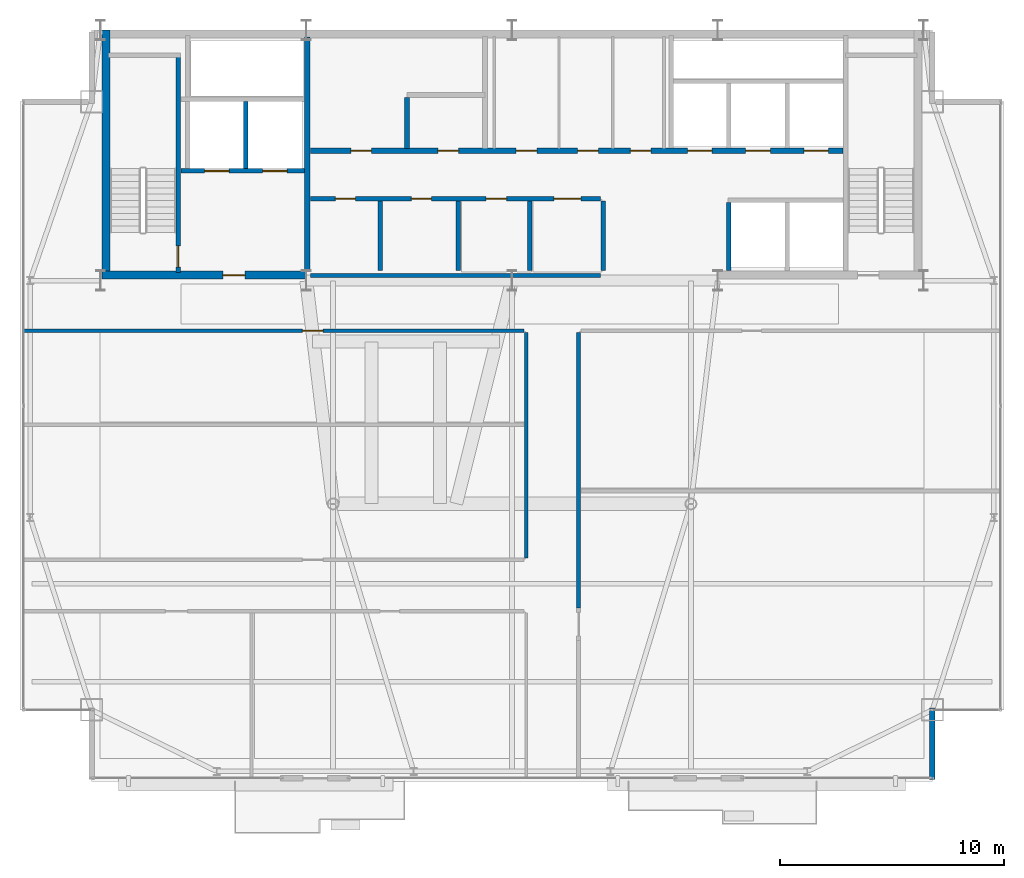
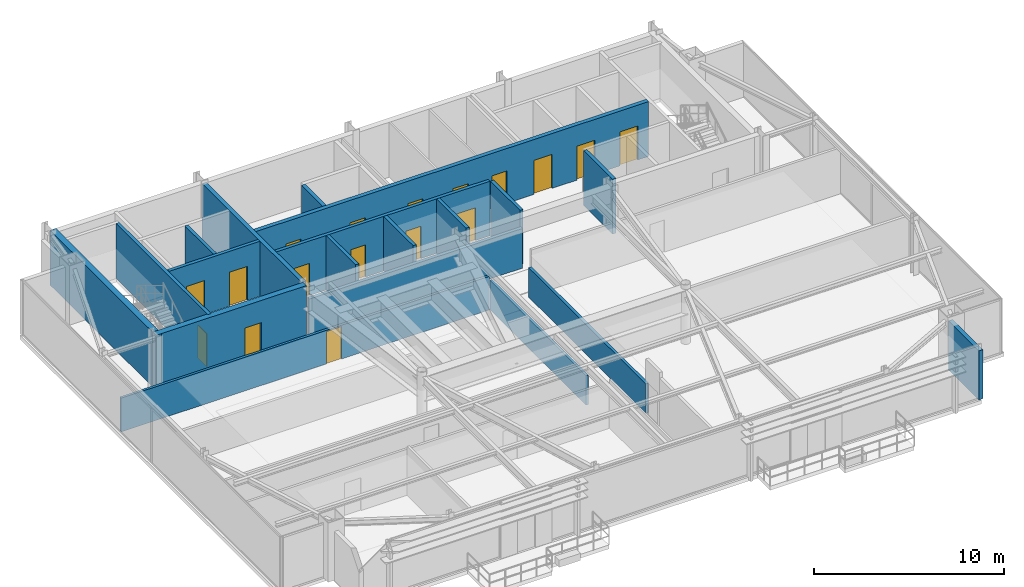
# One storey, part 18 of 21: 19 walls, 17 doors, 17 openings.
"""IFC4 building model written with IfcOpenShell, lengths in metres."""

import ifcopenshell
import ifcopenshell.guid

model = None  # the IFC model being written
_history = None  # IfcOwnerHistory: only IFC2X3 demands one
_inside = {}  # id of a spatial element -> (the spatial element, [elements in it])
_under = {}  # id of a project, library or spatial element -> (it, [spatial elements below it])
_declared = {}  # id of a project -> (the project, [libraries it declares])
_typed = {}  # id of a type object -> (the type object, [elements of that type])
_made_of = {}  # id of a material, layer set ... -> (it, [elements and type objects made of it])


def new_model(schema):
    """Start an empty IFC model of exactly this schema.

    Asked for "IFC4X3", IfcOpenShell would pick the latest addendum, in which some entities
    have other attributes; the version numbers below select the first issue.
    IFC2X3 requires an IfcOwnerHistory on every rooted entity: one is made here for all.
    """
    global model, _history
    if schema == "IFC4X3":
        model = ifcopenshell.file(schema_version=(4, 3, 0, 0))
    else:
        model = ifcopenshell.file(schema=schema)
    _inside.clear()
    _under.clear()
    _declared.clear()
    _typed.clear()
    _made_of.clear()
    _history = None
    if model.schema == "IFC2X3":
        org = make("IfcOrganization", Name="unknown")
        user = make(
            "IfcPersonAndOrganization",
            ThePerson=make("IfcPerson", FamilyName="unknown"),
            TheOrganization=org,
        )
        app = make(
            "IfcApplication",
            ApplicationDeveloper=org,
            Version="unknown",
            ApplicationFullName="unknown",
            ApplicationIdentifier="unknown",
        )
        _history = make(
            "IfcOwnerHistory",
            OwningUser=user,
            OwningApplication=app,
            ChangeAction="ADDED",
            CreationDate=0,
        )
    return model


def make(cls, **values):
    """One entity of the class cls with the attributes given. An attribute that is None is left unset."""
    return model.create_entity(
        cls, **{name: value for name, value in values.items() if value is not None}
    )


def rooted(cls, **values):
    """An entity with a GlobalId (a new one), such as an element, a storey or a relation."""
    return make(cls, GlobalId=ifcopenshell.guid.new(), OwnerHistory=_history, **values)


def si_unit(unit_type, name, prefix=None):
    """IfcSIUnit, for example si_unit("LENGTHUNIT", "METRE", prefix="MILLI")."""
    return make("IfcSIUnit", UnitType=unit_type, Prefix=prefix, Name=name)


def assignment(units):
    """IfcUnitAssignment: the units of a project."""
    return None if units is None else make("IfcUnitAssignment", Units=units)


def point(xyz):
    """IfcCartesianPoint."""
    return None if xyz is None else make("IfcCartesianPoint", Coordinates=xyz)


def direction(xyz):
    """IfcDirection."""
    return None if xyz is None else make("IfcDirection", DirectionRatios=xyz)


def frame(location, z_axis=None, x_axis=None):
    """IfcAxis2Placement3D, a coordinate frame: its origin and axes. An axis left out is left unset."""
    return make(
        "IfcAxis2Placement3D",
        Location=point(location),
        Axis=direction(z_axis),
        RefDirection=direction(x_axis),
    )


def frame_2d(location, x_axis=None):
    """IfcAxis2Placement2D, a coordinate frame in the plane: its origin and x axis."""
    return make(
        "IfcAxis2Placement2D", Location=point(location), RefDirection=direction(x_axis)
    )


def origin():
    """The frame at (0, 0, 0) with its axes left unset."""
    return frame((0.0, 0.0, 0.0))


def place(relative_to, where):
    """IfcLocalPlacement: puts the frame where relative to a parent placement (None: the world)."""
    return make(
        "IfcLocalPlacement", PlacementRelTo=relative_to, RelativePlacement=where
    )


def context(
    kind, dimensions, precision=None, world=None, true_north=None, identifier=None
):
    """IfcGeometricRepresentationContext, for example the 3D "Model" context."""
    return make(
        "IfcGeometricRepresentationContext",
        ContextIdentifier=identifier,
        ContextType=kind,
        CoordinateSpaceDimension=dimensions,
        Precision=precision,
        WorldCoordinateSystem=world,
        TrueNorth=true_north,
    )


def subcontext(parent, identifier, kind, view, scale=None):
    """IfcGeometricRepresentationSubContext, for example "Body" below "Model"."""
    return make(
        "IfcGeometricRepresentationSubContext",
        ContextIdentifier=identifier,
        ContextType=kind,
        ParentContext=parent,
        TargetScale=scale,
        TargetView=view,
    )


def project(units=None, contexts=None):
    """IfcProject with its units and contexts."""
    return rooted(
        "IfcProject",
        Name="project",
        RepresentationContexts=contexts,
        UnitsInContext=assignment(units),
    )


def spatial(cls, under=None, at=None, **own):
    """A site, building, storey or space (cls), placed at a placement, below another one or the project."""
    s = rooted(cls, ObjectPlacement=at, **own)
    if under is not None:
        _under.setdefault(under.id(), (under, []))[1].append(s)
    return s


def profile(cls, at=None, kind="AREA", **sizes):
    """A parametric profile (cls). Its sizes go by their IFC names, for example OverallWidth=200.0."""
    return make(cls, ProfileType=kind, Position=at, **sizes)


def rectangle(**sizes):
    """IfcRectangleProfileDef."""
    return profile("IfcRectangleProfileDef", **sizes)


def extrude(swept, where, along, depth):
    """IfcExtrudedAreaSolid: the profile swept, set in the frame where, extruded along a direction by depth."""
    return make(
        "IfcExtrudedAreaSolid",
        SweptArea=swept,
        Position=where,
        ExtrudedDirection=direction(along),
        Depth=depth,
    )


def shape(context_of_items, identifier, shape_type, items):
    """IfcShapeRepresentation: the items that make up one representation, for example the "Body"."""
    return make(
        "IfcShapeRepresentation",
        ContextOfItems=context_of_items,
        RepresentationIdentifier=identifier,
        RepresentationType=shape_type,
        Items=items,
    )


def source(mapping_origin, context_of_items, identifier, shape_type, items):
    """IfcRepresentationMap: a shape defined once, which mapped items show again and again."""
    return make(
        "IfcRepresentationMap",
        MappingOrigin=mapping_origin,
        MappedRepresentation=shape(context_of_items, identifier, shape_type, items),
    )


def transform(
    local_origin,
    x_axis=None,
    y_axis=None,
    z_axis=None,
    scale=None,
    scale2=None,
    scale3=None,
    uniform=True,
):
    """IfcCartesianTransformationOperator3D, or its non-uniform kind. x_axis, y_axis, z_axis: its Axis1, 2, 3."""
    if uniform:
        return make(
            "IfcCartesianTransformationOperator3D",
            Axis1=direction(x_axis),
            Axis2=direction(y_axis),
            LocalOrigin=point(local_origin),
            Scale=scale,
            Axis3=direction(z_axis),
        )
    return make(
        "IfcCartesianTransformationOperator3DnonUniform",
        Axis1=direction(x_axis),
        Axis2=direction(y_axis),
        LocalOrigin=point(local_origin),
        Scale=scale,
        Axis3=direction(z_axis),
        Scale2=scale2,
        Scale3=scale3,
    )


def mapped(mapping_source, mapping_target):
    """IfcMappedItem: shows the shape of a source again, moved by a transform."""
    return make(
        "IfcMappedItem", MappingSource=mapping_source, MappingTarget=mapping_target
    )


def material(Name=None, Category=None):
    """IfcMaterial."""
    return make("IfcMaterial", Name=Name, Category=Category)


def layer(
    of_material, thickness, ventilated=None, Name=None, Category=None, Priority=None
):
    """IfcMaterialLayer: one layer of a wall or slab, of a material (None: an air gap)."""
    return make(
        "IfcMaterialLayer",
        Material=of_material,
        LayerThickness=thickness,
        IsVentilated=ventilated,
        Name=Name,
        Category=Category,
        Priority=Priority,
    )


def layer_set(layers, Name=None):
    """IfcMaterialLayerSet."""
    return make("IfcMaterialLayerSet", MaterialLayers=layers, LayerSetName=Name)


def made_of(thing, what):
    """Note that an element or type object is made of a material, layer set ...; save() writes the relation."""
    if what is not None:
        _made_of.setdefault(what.id(), (what, []))[1].append(thing)
    return thing


def type_object(cls, material=None, **own):
    """A type object (cls), such as IfcWallType, which elements share."""
    return made_of(rooted(cls, **own), material)


def type_shapes(of_type, sources):
    """Give a type object the sources (RepresentationMaps) that its elements show as mapped items."""
    of_type.RepresentationMaps = sources


def element(
    cls,
    number,
    at=None,
    inside=None,
    cuts=None,
    type_object=None,
    material=None,
    context=None,
    identifier="Body",
    shape_type=None,
    held_by="IfcProductDefinitionShape",
    body=None,
    shapes=None,
    **own,
):
    """One element of the class cls, such as IfcWall. Its Tag is "e" and its number.

    at: its placement. inside: the storey or other place that contains it. cuts: it is an
    opening in that element (IfcRelVoidsElement). A single representation is given by context,
    identifier, shape_type and body (its items); several are given by shapes. held_by: the class
    of the entity that holds the representations. save() writes the other relations.
    """
    e = rooted(cls, Tag="e%d" % number, ObjectPlacement=at, **own)
    if body is not None:
        shapes = [shape(context, identifier, shape_type, body)]
    if shapes is not None:
        e.Representation = make(held_by, Representations=shapes)
    if inside is not None:
        _inside.setdefault(inside.id(), (inside, []))[1].append(e)
    if cuts is not None:
        rooted(
            "IfcRelVoidsElement", RelatingBuildingElement=cuts, RelatedOpeningElement=e
        )
    if type_object is not None:
        _typed.setdefault(type_object.id(), (type_object, []))[1].append(e)
    return made_of(e, material)


def fill(opening, filler):
    """IfcRelFillsElement: the door or window that sits in an opening."""
    return rooted(
        "IfcRelFillsElement",
        RelatingOpeningElement=opening,
        RelatedBuildingElement=filler,
    )


def aggregate(whole, parts):
    """IfcRelAggregates: a whole, such as a stair, and the parts it consists of."""
    return rooted("IfcRelAggregates", RelatingObject=whole, RelatedObjects=parts)


def save(model, path):
    """Write the relations noted so far, then the file.

    IfcRelAggregates (storeys below a building ...), IfcRelContainedInSpatialStructure (elements
    in a storey), IfcRelDefinesByType, IfcRelAssociatesMaterial and IfcRelDeclares: one each for
    every whole, place, type object, material and project.
    """
    for whole, parts in _under.values():
        aggregate(whole, parts)
    for where, things in _inside.values():
        rooted(
            "IfcRelContainedInSpatialStructure",
            RelatedElements=things,
            RelatingStructure=where,
        )
    for kind, things in _typed.values():
        rooted("IfcRelDefinesByType", RelatedObjects=things, RelatingType=kind)
    for what, things in _made_of.values():
        rooted("IfcRelAssociatesMaterial", RelatedObjects=things, RelatingMaterial=what)
    for by, libraries in _declared.values():
        rooted("IfcRelDeclares", RelatingContext=by, RelatedDefinitions=libraries)
    model.write(path)


model = new_model("IFC4")

# Units and contexts
model_context = context("Model", 3, precision=1e-05, world=origin(), true_north=direction((0.0, 1.0)))
body_context = subcontext(model_context, "Body", "Model", "MODEL_VIEW")
ifc_project = project(units=[si_unit("LENGTHUNIT", "METRE"), si_unit("AREAUNIT", "SQUARE_METRE"), si_unit("VOLUMEUNIT", "CUBIC_METRE"), si_unit("PLANEANGLEUNIT", "RADIAN"), si_unit("MASSUNIT", "GRAM", prefix="KILO")], contexts=[model_context])

# Site, building, storey
site_placement = place(None, origin())
site = spatial("IfcSite", under=ifc_project, at=site_placement, CompositionType="ELEMENT")
building_placement = place(site_placement, origin())
building = spatial("IfcBuilding", under=site, at=building_placement, Name="Varnel Quay Broadcast Tower", CompositionType="ELEMENT")
storey_placement = place(building_placement, frame((0.0, 0.0, 296.39990234375)))
storey = spatial("IfcBuildingStorey", under=building, at=storey_placement, Name="L74", CompositionType="ELEMENT", Elevation=296.39990234375)

# Wall, opening, door
ifc_material_1 = material(Name="Concrete CSA A23.3 C50/60", Category="concrete")
ifc_layer_1 = layer(ifc_material_1, 0.199951171875, Name="Concrete CSA A23.3 C50/60")
ifc_layer_set_1 = layer_set([ifc_layer_1], Name="Concrete CSA A23.3 C50/60")
wall_type_1 = type_object("IfcWallType", Name="Wall_CoreShaftShear200", PredefinedType="SHEAR", material=ifc_layer_set_1)
wall_1_placement = place(storey_placement, frame((19.080078125, 35.949951171875, 0.0), z_axis=(0.0, 0.0, 1.0), x_axis=(0.0, 1.0, 0.0)))
wall_1 = element("IfcWall", 1, at=wall_1_placement, inside=storey, type_object=wall_type_1, Name="L74 Stair 1 East Structural Wall", PredefinedType="SHEAR", context=body_context, shape_type="SweptSolid", body=[
    extrude(rectangle(XDim=9.650146484375, YDim=0.199951171875, at=frame_2d((4.8251953125, 0.0))), origin(), (0.0, 0.0, 1.0), 3.52001953125),
])
opening_1_placement = place(wall_1_placement, frame((0.25, 0.0, 0.0)))
opening_1 = element("IfcOpeningElement", 2, at=opening_1_placement, cuts=wall_1, Name="Opening D-L74-S1", PredefinedType="OPENING", context=body_context, shape_type="SweptSolid", body=[
    extrude(rectangle(XDim=0.949951171875, YDim=2.10009765625, at=frame_2d((0.47509765625, 1.050048828125))), frame((0.0, 0.10986328125, 0.0), z_axis=(0.0, -1.0, 0.0), x_axis=(1.0, 0.0, 0.0)), (0.0, 0.0, 1.0), 0.219970703125),
])
ifc_material_2 = material(Name="Insulated Fire-Rated Hollow Steel Door", Category="steel")
door_type_1 = type_object("IfcDoorType", Name="Door_FireStair950", OperationType="NOTDEFINED", PredefinedType="DOOR", material=ifc_material_2)
shared_shape_1 = source(origin(), body_context, "Body", "SweptSolid", [
    extrude(rectangle(XDim=0.949951171875, YDim=2.10009765625, at=frame_2d((0.47509765625, 1.050048828125))), frame((0.0, 0.02490234375, 0.0), z_axis=(0.0, -1.0, 0.0), x_axis=(1.0, 0.0, 0.0)), (0.0, 0.0, 1.0), 0.050048828125),
])
type_shapes(door_type_1, [shared_shape_1])
door_1_placement = place(opening_1_placement, origin())
door_1 = element("IfcDoor", 3, at=door_1_placement, inside=storey, type_object=door_type_1, Name="L74 Stair 1 Fire Door", OperationType="SINGLE_SWING_RIGHT", OverallHeight=2.10009765625, OverallWidth=0.949951171875, PredefinedType="DOOR", context=body_context, shape_type="MappedRepresentation", body=[
    mapped(shared_shape_1, transform((0.0, 0.0, 0.0), x_axis=(1.0, 0.0, 0.0), y_axis=(0.0, 1.0, 0.0), z_axis=(0.0, 0.0, 1.0), scale=1.0)),
])
fill(opening_1, door_1)

# Wall, openings, doors
wall_2_placement = place(storey_placement, frame((19.199951171875, 40.5, 0.0), z_axis=(0.0, 0.0, 1.0), x_axis=(1.0, 0.0, 0.0)))
wall_2 = element("IfcWall", 4, at=wall_2_placement, inside=storey, type_object=wall_type_1, Name="L74 Firefighter Lift Shaft Front Wall", PredefinedType="SHEAR", context=body_context, shape_type="SweptSolid", body=[
    extrude(rectangle(XDim=5.52001953125, YDim=0.199951171875, at=frame_2d((2.760009765625, 0.0))), origin(), (0.0, 0.0, 1.0), 3.52001953125),
])
opening_2_placement = place(wall_2_placement, frame((1.050048828125, 0.0, 0.0)))
opening_2 = element("IfcOpeningElement", 5, at=opening_2_placement, cuts=wall_2, Name="Opening LD-L74-FE1", PredefinedType="OPENING", context=body_context, shape_type="SweptSolid", body=[
    extrude(rectangle(XDim=1.10009765625, YDim=2.179931640625, at=frame_2d((0.550048828125, 1.08984375))), frame((0.0, 0.10986328125, 0.0), z_axis=(0.0, -1.0, 0.0), x_axis=(1.0, 0.0, 0.0)), (0.0, 0.0, 1.0), 0.219970703125),
])
opening_3_placement = place(wall_2_placement, frame((3.64990234375, 0.0, 0.0)))
opening_3 = element("IfcOpeningElement", 6, at=opening_3_placement, cuts=wall_2, Name="Opening LD-L74-FE2", PredefinedType="OPENING", context=body_context, shape_type="SweptSolid", body=[
    extrude(rectangle(XDim=1.10009765625, YDim=2.179931640625, at=frame_2d((0.550048828125, 1.08984375))), frame((0.0, 0.10986328125, 0.0), z_axis=(0.0, -1.0, 0.0), x_axis=(1.0, 0.0, 0.0)), (0.0, 0.0, 1.0), 0.219970703125),
])
ifc_material_3 = material(Name="Brushed Bronze-Stainless Lift Car & Sliding Doors", Category="steel")
door_type_2 = type_object("IfcDoorType", Name="Door_LiftLanding1100", OperationType="SLIDING_TO_LEFT", PredefinedType="DOOR", material=ifc_material_3)
shared_shape_2 = source(origin(), body_context, "Body", "SweptSolid", [
    extrude(rectangle(XDim=1.10009765625, YDim=2.179931640625, at=frame_2d((0.550048828125, 1.08984375))), frame((0.0, 0.02490234375, 0.0), z_axis=(0.0, -1.0, 0.0), x_axis=(1.0, 0.0, 0.0)), (0.0, 0.0, 1.0), 0.050048828125),
])
type_shapes(door_type_2, [shared_shape_2])
door_2_placement = place(opening_2_placement, frame((1.10009765625, 0.0, 0.0), z_axis=(0.0, 0.0, 1.0), x_axis=(-1.0, 0.0, 0.0)))
door_2 = element("IfcDoor", 7, at=door_2_placement, inside=storey, type_object=door_type_2, Name="L74 Firefighter Lift FE-01 Landing Door", OperationType="SLIDING_TO_LEFT", OverallHeight=2.179931640625, OverallWidth=1.10009765625, PredefinedType="DOOR", context=body_context, shape_type="MappedRepresentation", body=[
    mapped(shared_shape_2, transform((0.0, 0.0, 0.0), x_axis=(1.0, 0.0, 0.0), y_axis=(0.0, 1.0, 0.0), z_axis=(0.0, 0.0, 1.0), scale=1.0)),
])
fill(opening_2, door_2)
door_3_placement = place(opening_3_placement, frame((1.10009765625, 0.0, 0.0), z_axis=(0.0, 0.0, 1.0), x_axis=(-1.0, 0.0, 0.0)))
door_3 = element("IfcDoor", 8, at=door_3_placement, inside=storey, type_object=door_type_2, Name="L74 Firefighter Lift FE-02 Landing Door", OperationType="SLIDING_TO_RIGHT", OverallHeight=2.179931640625, OverallWidth=1.10009765625, PredefinedType="DOOR", context=body_context, shape_type="MappedRepresentation", body=[
    mapped(shared_shape_2, transform((0.0, 0.0, 0.0), x_axis=(1.0, 0.0, 0.0), y_axis=(0.0, 1.0, 0.0), z_axis=(0.0, 0.0, 1.0), scale=1.0)),
])
fill(opening_3, door_3)

# Walls
wall_3_placement = place(storey_placement, frame((22.10009765625, 40.60009765625, 0.0), z_axis=(0.0, 0.0, 1.0), x_axis=(0.0, 1.0, 0.0)))
element("IfcWall", 9, at=wall_3_placement, inside=storey, type_object=wall_type_1, Name="L74 Firefighter Lift Shaft Divider", PredefinedType="SHEAR", context=body_context, shape_type="SweptSolid", body=[
    extrude(rectangle(XDim=3.0, YDim=0.199951171875, at=frame_2d((1.5, 0.0))), origin(), (0.0, 0.0, 1.0), 3.52001953125),
])
wall_4_placement = place(storey_placement, frame((43.699951171875, 36.050048828125, 0.0), z_axis=(0.0, 0.0, 1.0), x_axis=(0.0, 1.0, 0.0)))
element("IfcWall", 10, at=wall_4_placement, inside=storey, type_object=wall_type_1, Name="L74 Express Lift Shaft West Wall", PredefinedType="SHEAR", context=body_context, shape_type="SweptSolid", body=[
    extrude(rectangle(XDim=3.050048828125, YDim=0.199951171875, at=frame_2d((1.52490234375, 0.0))), origin(), (0.0, 0.0, 1.0), 3.52001953125),
])
ifc_layer_2 = layer(ifc_material_1, 0.25, Name="Concrete CSA A23.3 C50/60")
ifc_layer_set_2 = layer_set([ifc_layer_2], Name="Concrete CSA A23.3 C50/60")
wall_type_2 = type_object("IfcWallType", Name="Wall_CoreShaftShear250", PredefinedType="SHEAR", material=ifc_layer_set_2)
wall_5_placement = place(storey_placement, frame((24.85009765625, 36.050048828125, 0.0), z_axis=(0.0, 0.0, 1.0), x_axis=(0.0, 1.0, 0.0)))
element("IfcWall", 11, at=wall_5_placement, inside=storey, type_object=wall_type_2, Name="L74 Firefighting Lobby East Structural Wall", PredefinedType="SHEAR", context=body_context, shape_type="SweptSolid", body=[
    extrude(rectangle(XDim=10.449951171875, YDim=0.25, at=frame_2d((5.22509765625, 0.0))), origin(), (0.0, 0.0, 1.0), 3.52001953125),
])

# Wall, openings, doors
wall_6_placement = place(storey_placement, frame((24.97998046875, 41.39990234375, 0.0), z_axis=(0.0, 0.0, 1.0), x_axis=(1.0, 0.0, 0.0)))
wall_6 = element("IfcWall", 12, at=wall_6_placement, inside=storey, type_object=wall_type_2, Name="L74 North Lift Bank & Reclaimed Suite Wall", PredefinedType="SHEAR", context=body_context, shape_type="SweptSolid", body=[
    extrude(rectangle(XDim=23.820068359375, YDim=0.25, at=frame_2d((11.91015625, 0.0))), origin(), (0.0, 0.0, 1.0), 3.52001953125),
])
opening_4_placement = place(wall_6_placement, frame((16.8701171875, 0.0, 0.0)))
opening_4 = element("IfcOpeningElement", 13, at=opening_4_placement, cuts=wall_6, Name="Opening LD-L74-PH-01", PredefinedType="OPENING", context=body_context, shape_type="SweptSolid", body=[
    extrude(rectangle(XDim=1.10009765625, YDim=2.179931640625, at=frame_2d((0.550048828125, 1.08984375))), frame((0.0, 0.135009765625, 0.0), z_axis=(0.0, -1.0, 0.0), x_axis=(1.0, 0.0, 0.0)), (0.0, 0.0, 1.0), 0.27001953125),
])
opening_5_placement = place(wall_6_placement, frame((19.469970703125, 0.0, 0.0)))
opening_5 = element("IfcOpeningElement", 14, at=opening_5_placement, cuts=wall_6, Name="Opening LD-L74-PH-02", PredefinedType="OPENING", context=body_context, shape_type="SweptSolid", body=[
    extrude(rectangle(XDim=1.10009765625, YDim=2.179931640625, at=frame_2d((0.550048828125, 1.08984375))), frame((0.0, 0.135009765625, 0.0), z_axis=(0.0, -1.0, 0.0), x_axis=(1.0, 0.0, 0.0)), (0.0, 0.0, 1.0), 0.27001953125),
])
opening_6_placement = place(wall_6_placement, frame((22.070068359375, 0.0, 0.0)))
opening_6 = element("IfcOpeningElement", 15, at=opening_6_placement, cuts=wall_6, Name="Opening LD-L74-PH-03", PredefinedType="OPENING", context=body_context, shape_type="SweptSolid", body=[
    extrude(rectangle(XDim=1.10009765625, YDim=2.179931640625, at=frame_2d((0.550048828125, 1.08984375))), frame((0.0, 0.135009765625, 0.0), z_axis=(0.0, -1.0, 0.0), x_axis=(1.0, 0.0, 0.0)), (0.0, 0.0, 1.0), 0.27001953125),
])
opening_7_placement = place(wall_6_placement, frame((1.81005859375, 0.0, 0.0)))
opening_7 = element("IfcOpeningElement", 16, at=opening_7_placement, cuts=wall_6, Name="Opening D-L74-RECA1", PredefinedType="OPENING", context=body_context, shape_type="SweptSolid", body=[
    extrude(rectangle(XDim=0.919921875, YDim=2.080078125, at=frame_2d((0.4599609375, 1.0400390625))), frame((0.0, 0.135009765625, 0.0), z_axis=(0.0, -1.0, 0.0), x_axis=(1.0, 0.0, 0.0)), (0.0, 0.0, 1.0), 0.27001953125),
])
opening_8_placement = place(wall_6_placement, frame((5.7099609375, 0.0, 0.0)))
opening_8 = element("IfcOpeningElement", 17, at=opening_8_placement, cuts=wall_6, Name="Opening D-L74-RECA2", PredefinedType="OPENING", context=body_context, shape_type="SweptSolid", body=[
    extrude(rectangle(XDim=0.919921875, YDim=2.080078125, at=frame_2d((0.4599609375, 1.0400390625))), frame((0.0, 0.135009765625, 0.0), z_axis=(0.0, -1.0, 0.0), x_axis=(1.0, 0.0, 0.0)), (0.0, 0.0, 1.0), 0.27001953125),
])
opening_9_placement = place(wall_6_placement, frame((9.2099609375, 0.0, 0.0)))
opening_9 = element("IfcOpeningElement", 18, at=opening_9_placement, cuts=wall_6, Name="Opening D-L74-RECB1", PredefinedType="OPENING", context=body_context, shape_type="SweptSolid", body=[
    extrude(rectangle(XDim=0.919921875, YDim=2.080078125, at=frame_2d((0.4599609375, 1.0400390625))), frame((0.0, 0.135009765625, 0.0), z_axis=(0.0, -1.0, 0.0), x_axis=(1.0, 0.0, 0.0)), (0.0, 0.0, 1.0), 0.27001953125),
])
opening_10_placement = place(wall_6_placement, frame((11.9599609375, 0.0, 0.0)))
opening_10 = element("IfcOpeningElement", 19, at=opening_10_placement, cuts=wall_6, Name="Opening D-L74-RECB2", PredefinedType="OPENING", context=body_context, shape_type="SweptSolid", body=[
    extrude(rectangle(XDim=0.919921875, YDim=2.080078125, at=frame_2d((0.4599609375, 1.0400390625))), frame((0.0, 0.135009765625, 0.0), z_axis=(0.0, -1.0, 0.0), x_axis=(1.0, 0.0, 0.0)), (0.0, 0.0, 1.0), 0.27001953125),
])
opening_11_placement = place(wall_6_placement, frame((14.31005859375, 0.0, 0.0)))
opening_11 = element("IfcOpeningElement", 20, at=opening_11_placement, cuts=wall_6, Name="Opening D-L74-RECB3", PredefinedType="OPENING", context=body_context, shape_type="SweptSolid", body=[
    extrude(rectangle(XDim=0.919921875, YDim=2.080078125, at=frame_2d((0.4599609375, 1.0400390625))), frame((0.0, 0.135009765625, 0.0), z_axis=(0.0, -1.0, 0.0), x_axis=(1.0, 0.0, 0.0)), (0.0, 0.0, 1.0), 0.27001953125),
])
door_4_placement = place(opening_4_placement, frame((1.10009765625, 0.0, 0.0), z_axis=(0.0, 0.0, 1.0), x_axis=(-1.0, 0.0, 0.0)))
door_4 = element("IfcDoor", 21, at=door_4_placement, inside=storey, type_object=door_type_2, Name="L74 Lift PH-01 Landing Door", OperationType="SLIDING_TO_LEFT", OverallHeight=2.179931640625, OverallWidth=1.10009765625, PredefinedType="DOOR", context=body_context, shape_type="MappedRepresentation", body=[
    mapped(shared_shape_2, transform((0.0, 0.0, 0.0), x_axis=(1.0, 0.0, 0.0), y_axis=(0.0, 1.0, 0.0), z_axis=(0.0, 0.0, 1.0), scale=1.0)),
])
fill(opening_4, door_4)
door_5_placement = place(opening_5_placement, frame((1.10009765625, 0.0, 0.0), z_axis=(0.0, 0.0, 1.0), x_axis=(-1.0, 0.0, 0.0)))
door_5 = element("IfcDoor", 22, at=door_5_placement, inside=storey, type_object=door_type_2, Name="L74 Lift PH-02 Landing Door", OperationType="SLIDING_TO_LEFT", OverallHeight=2.179931640625, OverallWidth=1.10009765625, PredefinedType="DOOR", context=body_context, shape_type="MappedRepresentation", body=[
    mapped(shared_shape_2, transform((0.0, 0.0, 0.0), x_axis=(1.0, 0.0, 0.0), y_axis=(0.0, 1.0, 0.0), z_axis=(0.0, 0.0, 1.0), scale=1.0)),
])
fill(opening_5, door_5)
door_6_placement = place(opening_6_placement, frame((1.10009765625, 0.0, 0.0), z_axis=(0.0, 0.0, 1.0), x_axis=(-1.0, 0.0, 0.0)))
door_6 = element("IfcDoor", 23, at=door_6_placement, inside=storey, type_object=door_type_2, Name="L74 Lift PH-03 Landing Door", OperationType="SLIDING_TO_LEFT", OverallHeight=2.179931640625, OverallWidth=1.10009765625, PredefinedType="DOOR", context=body_context, shape_type="MappedRepresentation", body=[
    mapped(shared_shape_2, transform((0.0, 0.0, 0.0), x_axis=(1.0, 0.0, 0.0), y_axis=(0.0, 1.0, 0.0), z_axis=(0.0, 0.0, 1.0), scale=1.0)),
])
fill(opening_6, door_6)
ifc_material_4 = material(Name="Solid-Core Fire-Rated Acoustic Oak Veneer Door", Category="wood")
door_type_3 = type_object("IfcDoorType", Name="Door_Office920", OperationType="NOTDEFINED", PredefinedType="DOOR", material=ifc_material_4)
shared_shape_3 = source(origin(), body_context, "Body", "SweptSolid", [
    extrude(rectangle(XDim=0.919921875, YDim=2.080078125, at=frame_2d((0.4599609375, 1.0400390625))), frame((0.0, 0.02490234375, 0.0), z_axis=(0.0, -1.0, 0.0), x_axis=(1.0, 0.0, 0.0)), (0.0, 0.0, 1.0), 0.050048828125),
])
type_shapes(door_type_3, [shared_shape_3])
door_7_placement = place(opening_7_placement, origin())
door_7 = element("IfcDoor", 24, at=door_7_placement, inside=storey, type_object=door_type_3, Name="L74 Signal Routing Suite Door", OperationType="SINGLE_SWING_LEFT", OverallHeight=2.080078125, OverallWidth=0.919921875, PredefinedType="DOOR", context=body_context, shape_type="MappedRepresentation", body=[
    mapped(shared_shape_3, transform((0.0, 0.0, 0.0), x_axis=(1.0, 0.0, 0.0), y_axis=(0.0, 1.0, 0.0), z_axis=(0.0, 0.0, 1.0), scale=1.0)),
])
fill(opening_7, door_7)
door_8_placement = place(opening_8_placement, origin())
door_8 = element("IfcDoor", 25, at=door_8_placement, inside=storey, type_object=door_type_3, Name="L74 Archive Media Store Door", OperationType="SINGLE_SWING_RIGHT", OverallHeight=2.080078125, OverallWidth=0.919921875, PredefinedType="DOOR", context=body_context, shape_type="MappedRepresentation", body=[
    mapped(shared_shape_3, transform((0.0, 0.0, 0.0), x_axis=(1.0, 0.0, 0.0), y_axis=(0.0, 1.0, 0.0), z_axis=(0.0, 0.0, 1.0), scale=1.0)),
])
fill(opening_8, door_8)
door_9_placement = place(opening_9_placement, origin())
door_9 = element("IfcDoor", 26, at=door_9_placement, inside=storey, type_object=door_type_3, Name="L74 Audio Patch Closet Door", OperationType="SINGLE_SWING_LEFT", OverallHeight=2.080078125, OverallWidth=0.919921875, PredefinedType="DOOR", context=body_context, shape_type="MappedRepresentation", body=[
    mapped(shared_shape_3, transform((0.0, 0.0, 0.0), x_axis=(1.0, 0.0, 0.0), y_axis=(0.0, 1.0, 0.0), z_axis=(0.0, 0.0, 1.0), scale=1.0)),
])
fill(opening_9, door_9)
door_10_placement = place(opening_10_placement, origin())
door_10 = element("IfcDoor", 27, at=door_10_placement, inside=storey, type_object=door_type_3, Name="L74 Bureau Reference Archive Door", OperationType="SINGLE_SWING_RIGHT", OverallHeight=2.080078125, OverallWidth=0.919921875, PredefinedType="DOOR", context=body_context, shape_type="MappedRepresentation", body=[
    mapped(shared_shape_3, transform((0.0, 0.0, 0.0), x_axis=(1.0, 0.0, 0.0), y_axis=(0.0, 1.0, 0.0), z_axis=(0.0, 0.0, 1.0), scale=1.0)),
])
fill(opening_10, door_10)
door_11_placement = place(opening_11_placement, origin())
door_11 = element("IfcDoor", 28, at=door_11_placement, inside=storey, type_object=door_type_3, Name="L74 Crew Espresso Niche Door", OperationType="SINGLE_SWING_LEFT", OverallHeight=2.080078125, OverallWidth=0.919921875, PredefinedType="DOOR", context=body_context, shape_type="MappedRepresentation", body=[
    mapped(shared_shape_3, transform((0.0, 0.0, 0.0), x_axis=(1.0, 0.0, 0.0), y_axis=(0.0, 1.0, 0.0), z_axis=(0.0, 0.0, 1.0), scale=1.0)),
])
fill(opening_11, door_11)

# Wall
ifc_layer_3 = layer(ifc_material_1, 0.35009765625, Name="Concrete CSA A23.3 C50/60")
ifc_layer_set_3 = layer_set([ifc_layer_3], Name="Concrete CSA A23.3 C50/60")
wall_type_3 = type_object("IfcWallType", Name="Wall_CoreShearInt350", PredefinedType="SHEAR", material=ifc_layer_set_3)
wall_7_placement = place(storey_placement, frame((15.844970703125, 35.669921875, 0.0), z_axis=(0.0, 0.0, 1.0), x_axis=(0.0, 1.0, 0.0)))
element("IfcWall", 29, at=wall_7_placement, inside=storey, type_object=wall_type_3, Name="L74 West Core Shear Wall", PredefinedType="SHEAR", context=body_context, shape_type="SweptSolid", body=[
    extrude(rectangle(XDim=11.130126953125, YDim=0.35009765625, at=frame_2d((5.56494140625, 0.0))), origin(), (0.0, 0.0, 1.0), 3.52001953125),
])

# Wall, opening, door
wall_8_placement = place(storey_placement, frame((15.669921875, 35.844970703125, 0.0), z_axis=(0.0, 0.0, 1.0), x_axis=(1.0, 0.0, 0.0)))
wall_8 = element("IfcWall", 30, at=wall_8_placement, inside=storey, type_object=wall_type_3, Name="L74 South-West Core Shear Wall", PredefinedType="SHEAR", context=body_context, shape_type="SweptSolid", body=[
    extrude(rectangle(XDim=9.130126953125, YDim=0.35009765625, at=frame_2d((4.56494140625, 0.0))), origin(), (0.0, 0.0, 1.0), 3.52001953125),
])
opening_12_placement = place(wall_8_placement, frame((5.39990234375, 0.0, 0.0)))
opening_12 = element("IfcOpeningElement", 31, at=opening_12_placement, cuts=wall_8, Name="Opening D-L74-FFL", PredefinedType="OPENING", context=body_context, shape_type="SweptSolid", body=[
    extrude(rectangle(XDim=1.0, YDim=2.10009765625, at=frame_2d((0.5, 1.050048828125))), frame((0.0, 0.18505859375, 0.0), z_axis=(0.0, -1.0, 0.0), x_axis=(1.0, 0.0, 0.0)), (0.0, 0.0, 1.0), 0.3701171875),
])
door_type_4 = type_object("IfcDoorType", Name="Door_FireLobby1000", OperationType="NOTDEFINED", PredefinedType="DOOR", material=ifc_material_2)
shared_shape_4 = source(origin(), body_context, "Body", "SweptSolid", [
    extrude(rectangle(XDim=1.0, YDim=2.10009765625, at=frame_2d((0.5, 1.050048828125))), frame((0.0, 0.02490234375, 0.0), z_axis=(0.0, -1.0, 0.0), x_axis=(1.0, 0.0, 0.0)), (0.0, 0.0, 1.0), 0.050048828125),
])
type_shapes(door_type_4, [shared_shape_4])
door_12_placement = place(opening_12_placement, origin())
door_12 = element("IfcDoor", 32, at=door_12_placement, inside=storey, type_object=door_type_4, Name="L74 Firefighting Lobby Door", OperationType="SINGLE_SWING_LEFT", OverallHeight=2.10009765625, OverallWidth=1.0, PredefinedType="DOOR", context=body_context, shape_type="MappedRepresentation", body=[
    mapped(shared_shape_4, transform((0.0, 0.0, 0.0), x_axis=(1.0, 0.0, 0.0), y_axis=(0.0, 1.0, 0.0), z_axis=(0.0, 0.0, 1.0), scale=1.0)),
])
fill(opening_12, door_12)

# Walls
ifc_material_5 = material(Name="Precast Architectural Concrete C40/50", Category="concrete")
ifc_layer_4 = layer(ifc_material_5, 0.25, Name="Precast Architectural Concrete C40/50")
ifc_layer_set_4 = layer_set([ifc_layer_4], Name="Precast Architectural Concrete C40/50")
wall_type_4 = type_object("IfcWallType", Name="Wall_ExtTerrace250", PredefinedType="SOLIDWALL", material=ifc_layer_set_4)
wall_9_placement = place(storey_placement, frame((52.800048828125, 13.280029296875, 0.0), z_axis=(0.0, 0.0, 1.0), x_axis=(0.0, 1.0, 0.0)))
element("IfcWall", 33, at=wall_9_placement, inside=storey, type_object=wall_type_4, Name="L74 Mega-Column Notch Cladding Wall NSE2", PredefinedType="SOLIDWALL", context=body_context, shape_type="SweptSolid", body=[
    extrude(rectangle(XDim=3.199951171875, YDim=0.25, at=frame_2d((1.60009765625, 0.0))), origin(), (0.0, 0.0, 1.0), 3.14111328125),
])
ifc_material_6 = material(Name="Concrete Blockwork Fire Enclosure C40/50", Category="masonry")
ifc_layer_5 = layer(ifc_material_6, 0.199951171875, Name="Concrete Blockwork Fire Enclosure C40/50")
ifc_layer_set_5 = layer_set([ifc_layer_5], Name="Concrete Blockwork Fire Enclosure C40/50")
wall_type_5 = type_object("IfcWallType", Name="Wall_FireShaft200", PredefinedType="SOLIDWALL", material=ifc_layer_set_5)
wall_10_placement = place(storey_placement, frame((25.0, 35.824951171875, 0.0), z_axis=(0.0, 0.0, 1.0), x_axis=(1.0, 0.0, 0.0)))
element("IfcWall", 34, at=wall_10_placement, inside=storey, type_object=wall_type_5, Name="L74 Accessible Universal Washroom Partition 1", PredefinedType="SOLIDWALL", context=body_context, shape_type="SweptSolid", body=[
    extrude(rectangle(XDim=12.949951171875, YDim=0.199951171875, at=frame_2d((6.47509765625, 0.0))), origin(), (0.0, 0.0, 1.0), 2.545166015625),
])

# Wall, openings, doors
wall_11_placement = place(storey_placement, frame((25.0, 39.25, 0.0), z_axis=(0.0, 0.0, 1.0), x_axis=(1.0, 0.0, 0.0)))
wall_11 = element("IfcWall", 35, at=wall_11_placement, inside=storey, type_object=wall_type_5, Name="L74 Accessible Universal Washroom Partition 3", PredefinedType="SOLIDWALL", context=body_context, shape_type="SweptSolid", body=[
    extrude(rectangle(XDim=12.949951171875, YDim=0.199951171875, at=frame_2d((6.47509765625, 0.0))), origin(), (0.0, 0.0, 1.0), 3.5),
])
opening_13_placement = place(wall_11_placement, frame((1.10009765625, 0.0, 0.0)))
opening_13 = element("IfcOpeningElement", 36, at=opening_13_placement, cuts=wall_11, Name="Opening D-L74-01", PredefinedType="OPENING", context=body_context, shape_type="SweptSolid", body=[
    extrude(rectangle(XDim=0.89990234375, YDim=2.06005859375, at=frame_2d((0.449951171875, 1.030029296875))), frame((0.0, 0.10986328125, 0.0), z_axis=(0.0, -1.0, 0.0), x_axis=(1.0, 0.0, 0.0)), (0.0, 0.0, 1.0), 0.219970703125),
])
opening_14_placement = place(wall_11_placement, frame((4.5, 0.0, 0.0)))
opening_14 = element("IfcOpeningElement", 37, at=opening_14_placement, cuts=wall_11, Name="Opening D-L74-02", PredefinedType="OPENING", context=body_context, shape_type="SweptSolid", body=[
    extrude(rectangle(XDim=0.89990234375, YDim=2.06005859375, at=frame_2d((0.449951171875, 1.030029296875))), frame((0.0, 0.10986328125, 0.0), z_axis=(0.0, -1.0, 0.0), x_axis=(1.0, 0.0, 0.0)), (0.0, 0.0, 1.0), 0.219970703125),
])
opening_15_placement = place(wall_11_placement, frame((7.840087890625, 0.0, 0.0)))
opening_15 = element("IfcOpeningElement", 38, at=opening_15_placement, cuts=wall_11, Name="Opening D-L74-03", PredefinedType="OPENING", context=body_context, shape_type="SweptSolid", body=[
    extrude(rectangle(XDim=0.919921875, YDim=2.080078125, at=frame_2d((0.4599609375, 1.0400390625))), frame((0.0, 0.10986328125, 0.0), z_axis=(0.0, -1.0, 0.0), x_axis=(1.0, 0.0, 0.0)), (0.0, 0.0, 1.0), 0.219970703125),
])
opening_16_placement = place(wall_11_placement, frame((10.875, 0.0, 0.0)))
opening_16 = element("IfcOpeningElement", 39, at=opening_16_placement, cuts=wall_11, Name="Opening D-L74-04", PredefinedType="OPENING", context=body_context, shape_type="SweptSolid", body=[
    extrude(rectangle(XDim=1.199951171875, YDim=2.10009765625, at=frame_2d((0.60009765625, 1.050048828125))), frame((0.0, 0.10986328125, 0.0), z_axis=(0.0, -1.0, 0.0), x_axis=(1.0, 0.0, 0.0)), (0.0, 0.0, 1.0), 0.219970703125),
])
door_type_5 = type_object("IfcDoorType", Name="Door_Washroom900", OperationType="NOTDEFINED", PredefinedType="DOOR", material=ifc_material_4)
shared_shape_5 = source(origin(), body_context, "Body", "SweptSolid", [
    extrude(rectangle(XDim=0.89990234375, YDim=2.06005859375, at=frame_2d((0.449951171875, 1.030029296875))), frame((0.0, 0.02490234375, 0.0), z_axis=(0.0, -1.0, 0.0), x_axis=(1.0, 0.0, 0.0)), (0.0, 0.0, 1.0), 0.050048828125),
])
type_shapes(door_type_5, [shared_shape_5])
door_13_placement = place(opening_13_placement, frame((0.89990234375, 0.0, 0.0), z_axis=(0.0, 0.0, 1.0), x_axis=(-1.0, 0.0, 0.0)))
door_13 = element("IfcDoor", 40, at=door_13_placement, inside=storey, type_object=door_type_5, Name="L74 Accessible Universal Washroom Door D-L74-01", OperationType="SINGLE_SWING_RIGHT", OverallHeight=2.06005859375, OverallWidth=0.89990234375, PredefinedType="DOOR", context=body_context, shape_type="MappedRepresentation", body=[
    mapped(shared_shape_5, transform((0.0, 0.0, 0.0), x_axis=(1.0, 0.0, 0.0), y_axis=(0.0, 1.0, 0.0), z_axis=(0.0, 0.0, 1.0), scale=1.0)),
])
fill(opening_13, door_13)
door_14_placement = place(opening_14_placement, frame((0.89990234375, 0.0, 0.0), z_axis=(0.0, 0.0, 1.0), x_axis=(-1.0, 0.0, 0.0)))
door_14 = element("IfcDoor", 41, at=door_14_placement, inside=storey, type_object=door_type_5, Name="L74 Staff Washroom Block Door D-L74-02", OperationType="SINGLE_SWING_LEFT", OverallHeight=2.06005859375, OverallWidth=0.89990234375, PredefinedType="DOOR", context=body_context, shape_type="MappedRepresentation", body=[
    mapped(shared_shape_5, transform((0.0, 0.0, 0.0), x_axis=(1.0, 0.0, 0.0), y_axis=(0.0, 1.0, 0.0), z_axis=(0.0, 0.0, 1.0), scale=1.0)),
])
fill(opening_14, door_14)
door_type_6 = type_object("IfcDoorType", Name="Door_Plant1200", OperationType="NOTDEFINED", PredefinedType="DOOR", material=ifc_material_2)
shared_shape_6 = source(origin(), body_context, "Body", "SweptSolid", [
    extrude(rectangle(XDim=1.199951171875, YDim=2.10009765625, at=frame_2d((0.60009765625, 1.050048828125))), frame((0.0, 0.02490234375, 0.0), z_axis=(0.0, -1.0, 0.0), x_axis=(1.0, 0.0, 0.0)), (0.0, 0.0, 1.0), 0.050048828125),
])
type_shapes(door_type_6, [shared_shape_6])
door_15_placement = place(opening_16_placement, origin())
door_15 = element("IfcDoor", 42, at=door_15_placement, inside=storey, type_object=door_type_6, Name="L74 Zone Lighting Dimmer Room Door D-L74-04", OperationType="SINGLE_SWING_LEFT", OverallHeight=2.10009765625, OverallWidth=1.199951171875, PredefinedType="DOOR", context=body_context, shape_type="MappedRepresentation", body=[
    mapped(shared_shape_6, transform((0.0, 0.0, 0.0), x_axis=(1.0, 0.0, 0.0), y_axis=(0.0, 1.0, 0.0), z_axis=(0.0, 0.0, 1.0), scale=1.0)),
])
fill(opening_16, door_15)
door_16_placement = place(opening_15_placement, frame((0.919921875, 0.0, 0.0), z_axis=(0.0, 0.0, 1.0), x_axis=(-1.0, 0.0, 0.0)))
door_16 = element("IfcDoor", 43, at=door_16_placement, inside=storey, type_object=door_type_3, Name="L74 Broadcast First-Aid & Quiet Room Door D-L74-03", OperationType="SINGLE_SWING_RIGHT", OverallHeight=2.080078125, OverallWidth=0.919921875, PredefinedType="DOOR", context=body_context, shape_type="MappedRepresentation", body=[
    mapped(shared_shape_3, transform((0.0, 0.0, 0.0), x_axis=(1.0, 0.0, 0.0), y_axis=(0.0, 1.0, 0.0), z_axis=(0.0, 0.0, 1.0), scale=1.0)),
])
fill(opening_15, door_16)

# Walls
for number, where, z_axis, x_axis, name in (
    (44, (34.800048828125, 36.050048828125, 0.0), (0.0, 0.0, 1.0), (0.0, 1.0, 0.0), "L74 Broadcast First-Aid & Quiet Room Partition 5"),
    (45, (38.074951171875, 36.050048828125, 0.0), (0.0, 0.0, 1.0), (0.0, 1.0, 0.0), "L74 Zone Lighting Dimmer Room Partition 6"),
):
    element("IfcWall", number, at=place(storey_placement, frame(where, z_axis=z_axis, x_axis=x_axis)), inside=storey, type_object=wall_type_5, Name=name, PredefinedType="SOLIDWALL", context=body_context, shape_type="SweptSolid", body=[
        extrude(rectangle(XDim=3.099853515625, YDim=0.199951171875, at=frame_2d((1.5498046875, 0.0))), origin(), (0.0, 0.0, 1.0), 3.5),
    ])
ifc_material_7 = material(Name="Steel-Stud Fire-Rated Acoustic Gypsum Partition Assembly", Category="steel")
ifc_layer_6 = layer(ifc_material_7, 0.14990234375, Name="Steel-Stud Fire-Rated Acoustic Gypsum Partition Assembly")
ifc_layer_set_6 = layer_set([ifc_layer_6], Name="Steel-Stud Fire-Rated Acoustic Gypsum Partition Assembly")
wall_type_6 = type_object("IfcWallType", Name="Wall_Partition150", PredefinedType="PARTITIONING", material=ifc_layer_set_6)
wall_12_placement = place(storey_placement, frame((34.6298828125, 23.18505859375, 0.0), z_axis=(0.0, 0.0, 1.0), x_axis=(0.0, 1.0, 0.0)))
element("IfcWall", 46, at=wall_12_placement, inside=storey, type_object=wall_type_6, Name="L74 Broadcast Newsroom 3 Partition 11", PredefinedType="PARTITIONING", context=body_context, shape_type="SweptSolid", body=[
    extrude(rectangle(XDim=10.08984375, YDim=0.14990234375, at=frame_2d((5.044921875, 0.0))), origin(), (0.0, 0.0, 1.0), 1.89501953125),
])

# Wall, opening, door
wall_13_placement = place(storey_placement, frame((12.179931640625, 33.35009765625, 0.0), z_axis=(0.0, 0.0, 1.0), x_axis=(1.0, 0.0, 0.0)))
wall_13 = element("IfcWall", 47, at=wall_13_placement, inside=storey, type_object=wall_type_6, Name="L74 Assignment Desk 4 Partition 13", PredefinedType="PARTITIONING", context=body_context, shape_type="SweptSolid", body=[
    extrude(rectangle(XDim=22.35009765625, YDim=0.14990234375, at=frame_2d((11.175048828125, 0.0))), origin(), (0.0, 0.0, 1.0), 2.1650390625),
])
opening_17_placement = place(wall_13_placement, frame((12.449951171875, 0.0, 0.0)))
opening_17 = element("IfcOpeningElement", 48, at=opening_17_placement, cuts=wall_13, Name="Opening D-L74-08", PredefinedType="OPENING", context=body_context, shape_type="SweptSolid", body=[
    extrude(rectangle(XDim=0.919921875, YDim=2.080078125, at=frame_2d((0.4599609375, 1.0400390625))), frame((0.0, 0.0849609375, 0.0), z_axis=(0.0, -1.0, 0.0), x_axis=(1.0, 0.0, 0.0)), (0.0, 0.0, 1.0), 0.169921875),
])
door_17_placement = place(opening_17_placement, frame((0.919921875, 0.0, 0.0), z_axis=(0.0, 0.0, 1.0), x_axis=(-1.0, 0.0, 0.0)))
door_17 = element("IfcDoor", 49, at=door_17_placement, inside=storey, type_object=door_type_3, Name="L74 Assignment Desk 4 Door D-L74-08", OperationType="SINGLE_SWING_LEFT", OverallHeight=2.080078125, OverallWidth=0.919921875, PredefinedType="DOOR", context=body_context, shape_type="MappedRepresentation", body=[
    mapped(shared_shape_3, transform((0.0, 0.0, 0.0), x_axis=(1.0, 0.0, 0.0), y_axis=(0.0, 1.0, 0.0), z_axis=(0.0, 0.0, 1.0), scale=1.0)),
])
fill(opening_17, door_17)

# Walls
ifc_layer_7 = layer(ifc_material_7, 0.175048828125, Name="Steel-Stud Fire-Rated Acoustic Gypsum Partition Assembly")
ifc_layer_set_7 = layer_set([ifc_layer_7], Name="Steel-Stud Fire-Rated Acoustic Gypsum Partition Assembly")
wall_type_7 = type_object("IfcWallType", Name="Wall_Partition175", PredefinedType="PARTITIONING", material=ifc_layer_set_7)
wall_14_placement = place(storey_placement, frame((36.97998046875, 20.9599609375, 0.0), z_axis=(0.0, 0.0, 1.0), x_axis=(0.0, 1.0, 0.0)))
element("IfcWall", 50, at=wall_14_placement, inside=storey, type_object=wall_type_7, Name="L74 Editorial Boardroom 5 Partition 17", PredefinedType="PARTITIONING", context=body_context, shape_type="SweptSolid", body=[
    extrude(rectangle(XDim=12.31494140625, YDim=0.175048828125, at=frame_2d((6.157470703125, 0.0))), origin(), (0.0, 0.0, 1.0), 1.89501953125),
])
ifc_layer_8 = layer(ifc_material_7, 0.22509765625, Name="Steel-Stud Fire-Rated Acoustic Gypsum Partition Assembly")
ifc_layer_set_8 = layer_set([ifc_layer_8], Name="Steel-Stud Fire-Rated Acoustic Gypsum Partition Assembly")
wall_type_8 = type_object("IfcWallType", Name="Wall_Partition225", PredefinedType="PARTITIONING", material=ifc_layer_set_8)
wall_15_placement = place(storey_placement, frame((29.300048828125, 41.5, 0.0), z_axis=(0.0, 0.0, 1.0), x_axis=(0.0, 1.0, 0.0)))
element("IfcWall", 51, at=wall_15_placement, inside=storey, type_object=wall_type_8, Name="L74 Signal Routing Suite Partition 19", PredefinedType="PARTITIONING", context=body_context, shape_type="SweptSolid", body=[
    extrude(rectangle(XDim=2.2880859375, YDim=0.22509765625, at=frame_2d((1.14404296875, 0.0))), origin(), (0.0, 0.0, 1.0), 3.5),
])
ifc_material_8 = material(Name="Fire-Rated Moisture-Resistant Plumbing Chase Partition")
ifc_layer_9 = layer(ifc_material_8, 0.199951171875, Name="Fire-Rated Moisture-Resistant Plumbing Chase Partition")
ifc_layer_set_9 = layer_set([ifc_layer_9], Name="Fire-Rated Moisture-Resistant Plumbing Chase Partition")
wall_type_9 = type_object("IfcWallType", Name="Wall_Plumbing200", PredefinedType="PLUMBINGWALL", material=ifc_layer_set_9)
for number, where, z_axis, x_axis, name in (
    (52, (28.10009765625, 36.050048828125, 0.0), (0.0, 0.0, 1.0), (0.0, 1.0, 0.0), "L74 Accessible Universal Washroom Partition 2"),
    (53, (31.60009765625, 36.050048828125, 0.0), (0.0, 0.0, 1.0), (0.0, 1.0, 0.0), "L74 Staff Washroom Block Partition 4"),
):
    element("IfcWall", number, at=place(storey_placement, frame(where, z_axis=z_axis, x_axis=x_axis)), inside=storey, type_object=wall_type_9, Name=name, PredefinedType="PLUMBINGWALL", context=body_context, shape_type="SweptSolid", body=[
        extrude(rectangle(XDim=3.099853515625, YDim=0.199951171875, at=frame_2d((1.5498046875, 0.0))), origin(), (0.0, 0.0, 1.0), 3.5),
    ])

save(model, "model.ifc")
